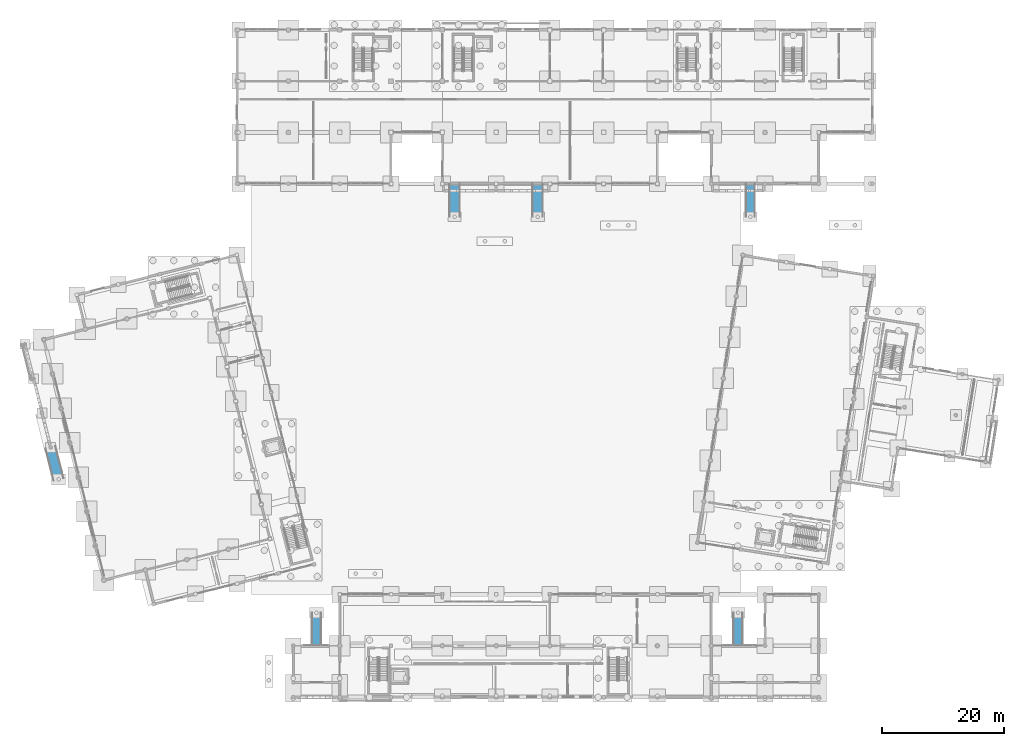
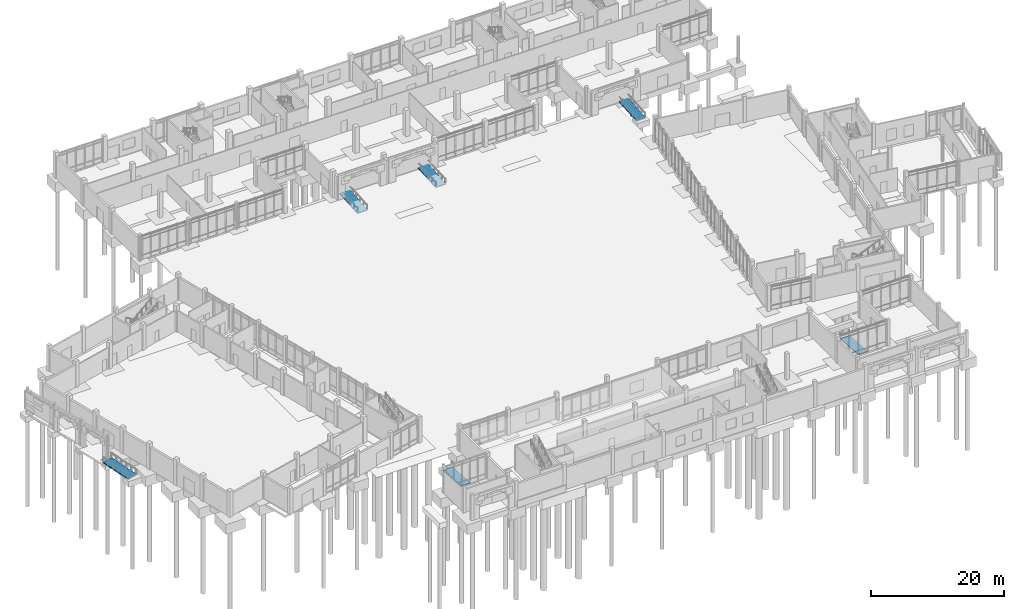
# One storey, part 53 of 72: 6 ramp flights, 6 elements without a shape of their own.
"""IFC4 building model written with IfcOpenShell, lengths in metres."""

from ifc_helpers import new_model, si_unit, direction, frame, origin, place, context, subcontext, project, spatial, polyline, outline, extrude, material, layer, layer_set, type_object, element, aggregate, save


model = new_model("IFC4")

# Units and contexts
model_context = context("Model", 3, precision=1e-05, world=origin(), true_north=direction((0.0, 1.0)))
body_context = subcontext(model_context, "Body", "Model", "MODEL_VIEW")
ifc_project = project(units=[si_unit("LENGTHUNIT", "METRE"), si_unit("AREAUNIT", "SQUARE_METRE"), si_unit("VOLUMEUNIT", "CUBIC_METRE"), si_unit("PLANEANGLEUNIT", "RADIAN"), si_unit("MASSUNIT", "GRAM", prefix="KILO")], contexts=[model_context])

# Site, building, storey
site_placement = place(None, origin())
site = spatial("IfcSite", under=ifc_project, at=site_placement, CompositionType="ELEMENT")
building_placement = place(site_placement, origin())
building = spatial("IfcBuilding", under=site, at=building_placement, Name="Cinderway Yard Community Centre", CompositionType="ELEMENT")
storey_placement = place(building_placement, origin())
storey = spatial("IfcBuildingStorey", under=building, at=storey_placement, Name="L00", CompositionType="ELEMENT", Elevation=0.0)

# Ramp, ramp flight
ifc_material = material(Name="Concrete C35/45", Category="concrete")
ramp_type = type_object("IfcRampType", Name="INT-RMP-ACC150", PredefinedType="STRAIGHT_RUN_RAMP", material=ifc_material)
ramp_1_placement = place(storey_placement, origin())
ramp_1 = element("IfcRamp", 1, at=ramp_1_placement, inside=storey, type_object=ramp_type, Name="Main Civic Courtyard Accessible Ramp", PredefinedType="STRAIGHT_RUN_RAMP")
ifc_layer = layer(ifc_material, 0.179931640625, Name="Concrete C35/45")
ifc_layer_set = layer_set([ifc_layer], Name="Concrete C35/45")
ramp_flight_type = type_object("IfcRampFlightType", Name="INT-RMF-ACC150", PredefinedType="STRAIGHT", material=ifc_layer_set)
ramp_flight_1_placement = place(storey_placement, frame((78.10009765625, 84.60009765625, -0.179931640625), z_axis=(0.0, -0.066495057241, 0.997786754453), x_axis=(-1.0, 0.0, 0.0)))
ramp_flight_1 = element("IfcRampFlight", 2, at=ramp_flight_1_placement, type_object=ramp_flight_type, Name="Main Civic Courtyard Accessible Ramp Flight", PredefinedType="STRAIGHT", context=body_context, shape_type="SweptSolid", body=[
    extrude(outline(polyline([(0.0, 0.0), (1.800048828125, 0.0), (1.800048828125, -5.411880163420912), (0.0, -5.411880163420912), (0.0, 0.0)])), origin(), (0.0, 0.0, -1.0), 0.179931640625),
])
aggregate(ramp_1, [ramp_flight_1])

ramp_2_placement = place(storey_placement, origin())
ramp_2 = element("IfcRamp", 3, at=ramp_2_placement, inside=storey, type_object=ramp_type, Name="Reception East Accessible Ramp", PredefinedType="STRAIGHT_RUN_RAMP")
ramp_flight_2_placement = place(storey_placement, frame((91.699951171875, 84.60009765625, -0.179931640625), z_axis=(0.0, -0.066495057241, 0.997786754453), x_axis=(-1.0, 0.0, 0.0)))
ramp_flight_2 = element("IfcRampFlight", 4, at=ramp_flight_2_placement, type_object=ramp_flight_type, Name="Reception East Accessible Ramp Flight", PredefinedType="STRAIGHT", context=body_context, shape_type="SweptSolid", body=[
    extrude(outline(polyline([(0.0, 0.0), (1.800048828125, 0.0), (1.800048828125, -5.411880163420912), (0.0, -5.411880163420912), (0.0, 0.0)])), origin(), (0.0, 0.0, -1.0), 0.179931640625),
])
aggregate(ramp_2, [ramp_flight_2])

ramp_3_placement = place(storey_placement, origin())
ramp_3 = element("IfcRamp", 5, at=ramp_3_placement, inside=storey, type_object=ramp_type, Name="Nursery Play-Court Accessible Ramp", PredefinedType="STRAIGHT_RUN_RAMP")
ramp_flight_3_placement = place(storey_placement, frame((126.39990234375, 84.60009765625, -0.179931640625), z_axis=(0.0, -0.066495057241, 0.997786754453), x_axis=(-1.0, 0.0, 0.0)))
ramp_flight_3 = element("IfcRampFlight", 6, at=ramp_flight_3_placement, type_object=ramp_flight_type, Name="Nursery Play-Court Accessible Ramp Flight", PredefinedType="STRAIGHT", context=body_context, shape_type="SweptSolid", body=[
    extrude(outline(polyline([(0.0, 0.0), (1.599853515625, 0.0), (1.599853515625, -5.4118801634209115), (0.0, -5.4118801634209115), (0.0, 0.0)])), origin(), (0.0, 0.0, -1.0), 0.179931640625),
])
aggregate(ramp_3, [ramp_flight_3])

ramp_4_placement = place(storey_placement, origin())
ramp_4 = element("IfcRamp", 7, at=ramp_4_placement, inside=storey, type_object=ramp_type, Name="West Storm Arcade Courtyard Ramp", PredefinedType="STRAIGHT_RUN_RAMP")
ramp_flight_4_placement = place(storey_placement, frame((55.39990234375, 14.39990234375, 0.179931640625), z_axis=(0.0, 0.066492064291, 0.997786953907), x_axis=(-1.0, 0.0, 0.0)))
ramp_flight_4 = element("IfcRampFlight", 8, at=ramp_flight_4_placement, type_object=ramp_flight_type, Name="West Storm Arcade Courtyard Ramp Flight", PredefinedType="STRAIGHT", context=body_context, shape_type="SweptSolid", body=[
    extrude(outline(polyline([(0.0, 0.0), (1.599853515625, 0.0), (1.599853515625, -5.412123763727109), (0.0, -5.412123763727109), (0.0, 0.0)])), origin(), (0.0, 0.0, -1.0), 0.179931640625),
])
aggregate(ramp_4, [ramp_flight_4])

ramp_5_placement = place(storey_placement, origin())
ramp_5 = element("IfcRamp", 9, at=ramp_5_placement, inside=storey, type_object=ramp_type, Name="East Storm Arcade Courtyard Ramp", PredefinedType="STRAIGHT_RUN_RAMP")
ramp_flight_5_placement = place(storey_placement, frame((124.39990234375, 14.39990234375, 0.179931640625), z_axis=(0.0, 0.066492064291, 0.997786953907), x_axis=(-1.0, 0.0, 0.0)))
ramp_flight_5 = element("IfcRampFlight", 10, at=ramp_flight_5_placement, type_object=ramp_flight_type, Name="East Storm Arcade Courtyard Ramp Flight", PredefinedType="STRAIGHT", context=body_context, shape_type="SweptSolid", body=[
    extrude(outline(polyline([(0.0, 0.0), (1.599853515625, 0.0), (1.599853515625, -5.412123763727109), (0.0, -5.412123763727109), (0.0, 0.0)])), origin(), (0.0, 0.0, -1.0), 0.179931640625),
])
aggregate(ramp_5, [ramp_flight_5])

ramp_6_placement = place(storey_placement, origin())
ramp_6 = element("IfcRamp", 11, at=ramp_6_placement, inside=storey, type_object=ramp_type, Name="Rail Forecourt Arrival Accessible Ramp", PredefinedType="STRAIGHT_RUN_RAMP")
ramp_flight_6_placement = place(storey_placement, frame((13.27099609375, 41.83203125, -0.179931640625), z_axis=(0.016109356043, -0.064509582543, 0.997787052636), x_axis=(-0.970206304302, -0.242280265588, 0.0)))
ramp_flight_6 = element("IfcRampFlight", 12, at=ramp_flight_6_placement, type_object=ramp_flight_type, Name="Rail Forecourt Arrival Accessible Ramp Flight", PredefinedType="STRAIGHT", context=body_context, shape_type="SweptSolid", body=[
    extrude(outline(polyline([(0.0, 0.0), (1.7997138776136123, 0.0), (1.7971680234637515, -5.412244358041605), (-0.0025458541498604172, -5.4122443580416055), (0.0, 0.0)])), origin(), (0.0, 0.0, -1.0), 0.179931640625),
])
aggregate(ramp_6, [ramp_flight_6])

save(model, "model.ifc")
